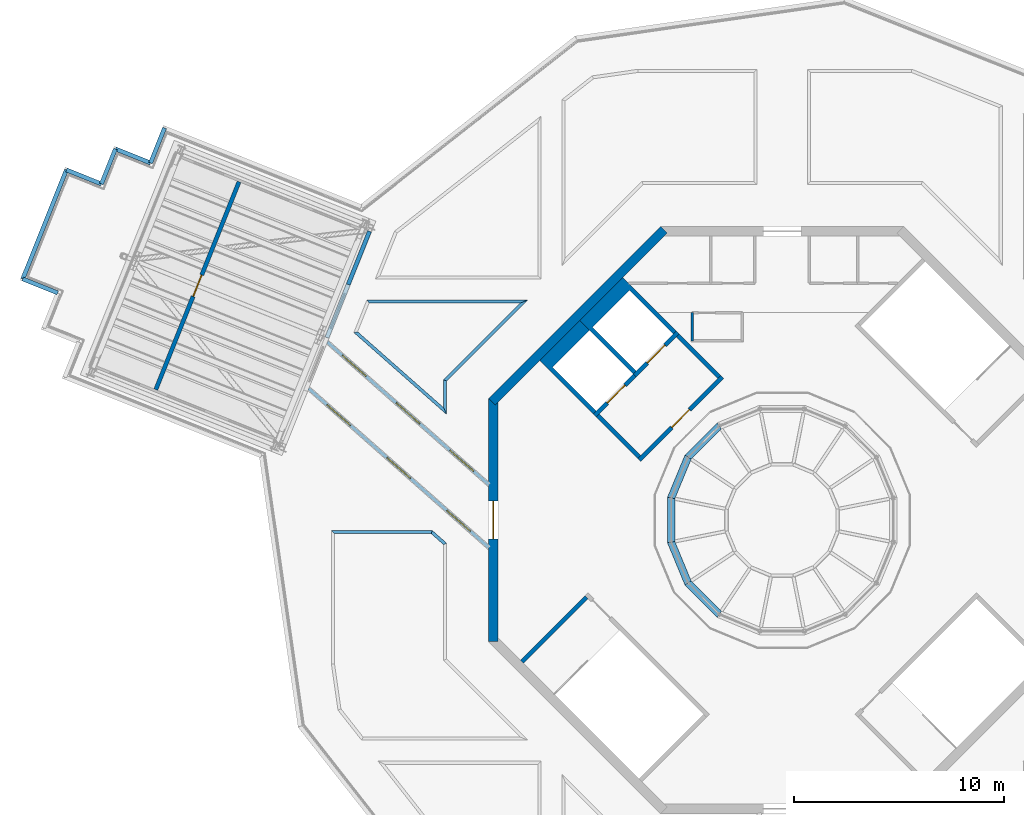
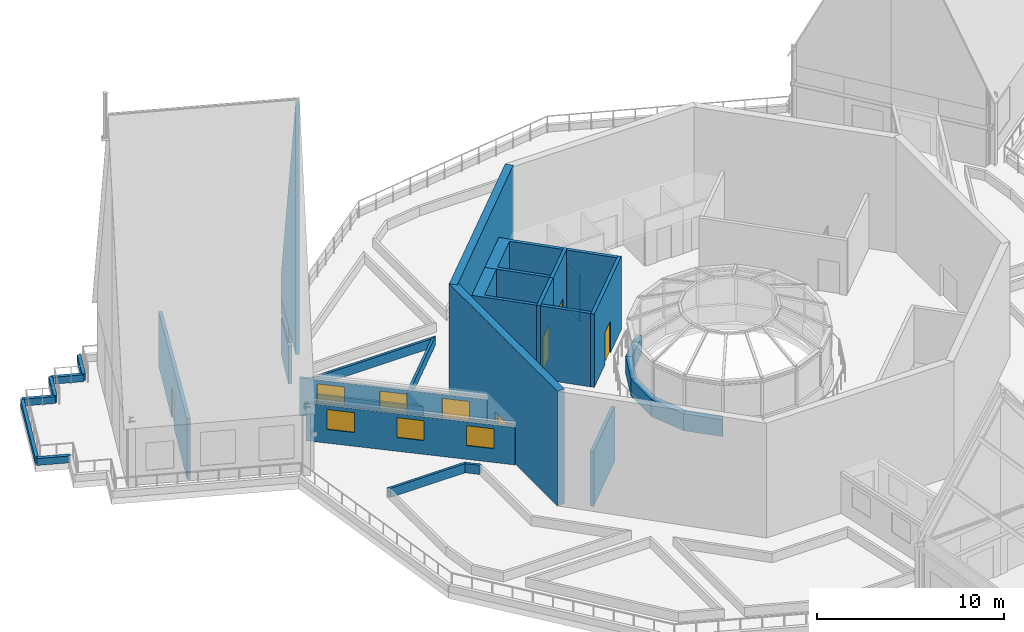
# One storey, part 14 of 32: 34 walls, 6 windows, 5 doors, 11 openings.
"""IFC4 building model written with IfcOpenShell, lengths in metres."""

import ifcopenshell
import ifcopenshell.guid

model = None  # the IFC model being written
_history = None  # IfcOwnerHistory: only IFC2X3 demands one
_inside = {}  # id of a spatial element -> (the spatial element, [elements in it])
_under = {}  # id of a project, library or spatial element -> (it, [spatial elements below it])
_declared = {}  # id of a project -> (the project, [libraries it declares])
_typed = {}  # id of a type object -> (the type object, [elements of that type])
_made_of = {}  # id of a material, layer set ... -> (it, [elements and type objects made of it])


def new_model(schema):
    """Start an empty IFC model of exactly this schema.

    Asked for "IFC4X3", IfcOpenShell would pick the latest addendum, in which some entities
    have other attributes; the version numbers below select the first issue.
    IFC2X3 requires an IfcOwnerHistory on every rooted entity: one is made here for all.
    """
    global model, _history
    if schema == "IFC4X3":
        model = ifcopenshell.file(schema_version=(4, 3, 0, 0))
    else:
        model = ifcopenshell.file(schema=schema)
    _inside.clear()
    _under.clear()
    _declared.clear()
    _typed.clear()
    _made_of.clear()
    _history = None
    if model.schema == "IFC2X3":
        org = make("IfcOrganization", Name="unknown")
        user = make(
            "IfcPersonAndOrganization",
            ThePerson=make("IfcPerson", FamilyName="unknown"),
            TheOrganization=org,
        )
        app = make(
            "IfcApplication",
            ApplicationDeveloper=org,
            Version="unknown",
            ApplicationFullName="unknown",
            ApplicationIdentifier="unknown",
        )
        _history = make(
            "IfcOwnerHistory",
            OwningUser=user,
            OwningApplication=app,
            ChangeAction="ADDED",
            CreationDate=0,
        )
    return model


def make(cls, **values):
    """One entity of the class cls with the attributes given. An attribute that is None is left unset."""
    return model.create_entity(
        cls, **{name: value for name, value in values.items() if value is not None}
    )


def rooted(cls, **values):
    """An entity with a GlobalId (a new one), such as an element, a storey or a relation."""
    return make(cls, GlobalId=ifcopenshell.guid.new(), OwnerHistory=_history, **values)


def si_unit(unit_type, name, prefix=None):
    """IfcSIUnit, for example si_unit("LENGTHUNIT", "METRE", prefix="MILLI")."""
    return make("IfcSIUnit", UnitType=unit_type, Prefix=prefix, Name=name)


def assignment(units):
    """IfcUnitAssignment: the units of a project."""
    return None if units is None else make("IfcUnitAssignment", Units=units)


def point(xyz):
    """IfcCartesianPoint."""
    return None if xyz is None else make("IfcCartesianPoint", Coordinates=xyz)


def direction(xyz):
    """IfcDirection."""
    return None if xyz is None else make("IfcDirection", DirectionRatios=xyz)


def frame(location, z_axis=None, x_axis=None):
    """IfcAxis2Placement3D, a coordinate frame: its origin and axes. An axis left out is left unset."""
    return make(
        "IfcAxis2Placement3D",
        Location=point(location),
        Axis=direction(z_axis),
        RefDirection=direction(x_axis),
    )


def frame_2d(location, x_axis=None):
    """IfcAxis2Placement2D, a coordinate frame in the plane: its origin and x axis."""
    return make(
        "IfcAxis2Placement2D", Location=point(location), RefDirection=direction(x_axis)
    )


def origin():
    """The frame at (0, 0, 0) with its axes left unset."""
    return frame((0.0, 0.0, 0.0))


def place(relative_to, where):
    """IfcLocalPlacement: puts the frame where relative to a parent placement (None: the world)."""
    return make(
        "IfcLocalPlacement", PlacementRelTo=relative_to, RelativePlacement=where
    )


def context(
    kind, dimensions, precision=None, world=None, true_north=None, identifier=None
):
    """IfcGeometricRepresentationContext, for example the 3D "Model" context."""
    return make(
        "IfcGeometricRepresentationContext",
        ContextIdentifier=identifier,
        ContextType=kind,
        CoordinateSpaceDimension=dimensions,
        Precision=precision,
        WorldCoordinateSystem=world,
        TrueNorth=true_north,
    )


def subcontext(parent, identifier, kind, view, scale=None):
    """IfcGeometricRepresentationSubContext, for example "Body" below "Model"."""
    return make(
        "IfcGeometricRepresentationSubContext",
        ContextIdentifier=identifier,
        ContextType=kind,
        ParentContext=parent,
        TargetScale=scale,
        TargetView=view,
    )


def project(units=None, contexts=None):
    """IfcProject with its units and contexts."""
    return rooted(
        "IfcProject",
        Name="project",
        RepresentationContexts=contexts,
        UnitsInContext=assignment(units),
    )


def spatial(cls, under=None, at=None, **own):
    """A site, building, storey or space (cls), placed at a placement, below another one or the project."""
    s = rooted(cls, ObjectPlacement=at, **own)
    if under is not None:
        _under.setdefault(under.id(), (under, []))[1].append(s)
    return s


def polyline(points):
    """IfcPolyline through the points."""
    return make("IfcPolyline", Points=[point(p) for p in points])


def profile(cls, at=None, kind="AREA", **sizes):
    """A parametric profile (cls). Its sizes go by their IFC names, for example OverallWidth=200.0."""
    return make(cls, ProfileType=kind, Position=at, **sizes)


def rectangle(**sizes):
    """IfcRectangleProfileDef."""
    return profile("IfcRectangleProfileDef", **sizes)


def outline(outer, holes=None, kind="AREA"):
    """IfcArbitraryClosedProfileDef: a profile drawn as a closed curve; with holes, ...WithVoids."""
    if holes is None:
        return make("IfcArbitraryClosedProfileDef", ProfileType=kind, OuterCurve=outer)
    return make(
        "IfcArbitraryProfileDefWithVoids",
        ProfileType=kind,
        OuterCurve=outer,
        InnerCurves=holes,
    )


def extrude(swept, where, along, depth):
    """IfcExtrudedAreaSolid: the profile swept, set in the frame where, extruded along a direction by depth."""
    return make(
        "IfcExtrudedAreaSolid",
        SweptArea=swept,
        Position=where,
        ExtrudedDirection=direction(along),
        Depth=depth,
    )


def shape(context_of_items, identifier, shape_type, items):
    """IfcShapeRepresentation: the items that make up one representation, for example the "Body"."""
    return make(
        "IfcShapeRepresentation",
        ContextOfItems=context_of_items,
        RepresentationIdentifier=identifier,
        RepresentationType=shape_type,
        Items=items,
    )


def material(Name=None, Category=None):
    """IfcMaterial."""
    return make("IfcMaterial", Name=Name, Category=Category)


def layer(
    of_material, thickness, ventilated=None, Name=None, Category=None, Priority=None
):
    """IfcMaterialLayer: one layer of a wall or slab, of a material (None: an air gap)."""
    return make(
        "IfcMaterialLayer",
        Material=of_material,
        LayerThickness=thickness,
        IsVentilated=ventilated,
        Name=Name,
        Category=Category,
        Priority=Priority,
    )


def layer_set(layers, Name=None):
    """IfcMaterialLayerSet."""
    return make("IfcMaterialLayerSet", MaterialLayers=layers, LayerSetName=Name)


def made_of(thing, what):
    """Note that an element or type object is made of a material, layer set ...; save() writes the relation."""
    if what is not None:
        _made_of.setdefault(what.id(), (what, []))[1].append(thing)
    return thing


def type_object(cls, material=None, **own):
    """A type object (cls), such as IfcWallType, which elements share."""
    return made_of(rooted(cls, **own), material)


def element(
    cls,
    number,
    at=None,
    inside=None,
    cuts=None,
    type_object=None,
    material=None,
    context=None,
    identifier="Body",
    shape_type=None,
    held_by="IfcProductDefinitionShape",
    body=None,
    shapes=None,
    **own,
):
    """One element of the class cls, such as IfcWall. Its Tag is "e" and its number.

    at: its placement. inside: the storey or other place that contains it. cuts: it is an
    opening in that element (IfcRelVoidsElement). A single representation is given by context,
    identifier, shape_type and body (its items); several are given by shapes. held_by: the class
    of the entity that holds the representations. save() writes the other relations.
    """
    e = rooted(cls, Tag="e%d" % number, ObjectPlacement=at, **own)
    if body is not None:
        shapes = [shape(context, identifier, shape_type, body)]
    if shapes is not None:
        e.Representation = make(held_by, Representations=shapes)
    if inside is not None:
        _inside.setdefault(inside.id(), (inside, []))[1].append(e)
    if cuts is not None:
        rooted(
            "IfcRelVoidsElement", RelatingBuildingElement=cuts, RelatedOpeningElement=e
        )
    if type_object is not None:
        _typed.setdefault(type_object.id(), (type_object, []))[1].append(e)
    return made_of(e, material)


def fill(opening, filler):
    """IfcRelFillsElement: the door or window that sits in an opening."""
    return rooted(
        "IfcRelFillsElement",
        RelatingOpeningElement=opening,
        RelatedBuildingElement=filler,
    )


def aggregate(whole, parts):
    """IfcRelAggregates: a whole, such as a stair, and the parts it consists of."""
    return rooted("IfcRelAggregates", RelatingObject=whole, RelatedObjects=parts)


def save(model, path):
    """Write the relations noted so far, then the file.

    IfcRelAggregates (storeys below a building ...), IfcRelContainedInSpatialStructure (elements
    in a storey), IfcRelDefinesByType, IfcRelAssociatesMaterial and IfcRelDeclares: one each for
    every whole, place, type object, material and project.
    """
    for whole, parts in _under.values():
        aggregate(whole, parts)
    for where, things in _inside.values():
        rooted(
            "IfcRelContainedInSpatialStructure",
            RelatedElements=things,
            RelatingStructure=where,
        )
    for kind, things in _typed.values():
        rooted("IfcRelDefinesByType", RelatedObjects=things, RelatingType=kind)
    for what, things in _made_of.values():
        rooted("IfcRelAssociatesMaterial", RelatedObjects=things, RelatingMaterial=what)
    for by, libraries in _declared.values():
        rooted("IfcRelDeclares", RelatingContext=by, RelatedDefinitions=libraries)
    model.write(path)


model = new_model("IFC4")

# Units and contexts
model_context = context("Model", 3, precision=1e-05, world=origin(), true_north=direction((0.0, 1.0)))
body_context = subcontext(model_context, "Body", "Model", "MODEL_VIEW")
ifc_project = project(units=[si_unit("LENGTHUNIT", "METRE"), si_unit("AREAUNIT", "SQUARE_METRE"), si_unit("VOLUMEUNIT", "CUBIC_METRE"), si_unit("PLANEANGLEUNIT", "RADIAN"), si_unit("MASSUNIT", "GRAM", prefix="KILO")], contexts=[model_context])

# Site, building, storey
site_placement = place(None, origin())
site = spatial("IfcSite", under=ifc_project, at=site_placement, CompositionType="ELEMENT")
building_placement = place(site_placement, origin())
building = spatial("IfcBuilding", under=site, at=building_placement, Name="Verdalira Terraces Hotel", CompositionType="ELEMENT")
storey_placement = place(building_placement, frame((0.0, 0.0, 315.0)))
storey = spatial("IfcBuildingStorey", under=building, at=storey_placement, Name="L78", CompositionType="ELEMENT", Elevation=315.0)

# Walls
ifc_material_1 = material(Name="Concrete C40", Category="concrete")
ifc_layer_1 = layer(ifc_material_1, 0.199951171875)
ifc_layer_set_1 = layer_set([ifc_layer_1], Name="Bronze clad gable end wall 200 mm")
wall_type_1 = type_object("IfcWallType", Name="Bronze clad gable end wall 200 mm", PredefinedType="SOLIDWALL", material=ifc_layer_set_1)
wall_1_placement = place(storey_placement, frame((-19.680908, 13.77002, 0.0), z_axis=(0.0, 0.0, 1.0), x_axis=(-0.372007317, -0.928229797, 0.0)))
element("IfcWall", 1, at=wall_1_placement, inside=storey, type_object=wall_type_1, Name="Bronze clad gable end wall G1S1", PredefinedType="SOLIDWALL", context=body_context, shape_type="SweptSolid", body=[
    extrude(rectangle(XDim=2.730225, YDim=0.199951, at=frame_2d((1.365234, 0.0))), origin(), (0.0, 0.0, 1.0), 2.456055),
])
wall_2_placement = place(storey_placement, frame((-19.680908, 13.77002, 2.709961), z_axis=(0.0, 0.0, 1.0), x_axis=(-0.372007317, -0.928229797, 0.0)))
element("IfcWall", 2, at=wall_2_placement, inside=storey, type_object=wall_type_1, Name="Bronze clad gable end wall G1S1 middle course", PredefinedType="SOLIDWALL", context=body_context, shape_type="SweptSolid", body=[
    extrude(rectangle(XDim=2.730225, YDim=0.199951, at=frame_2d((1.365234, 0.0))), origin(), (0.0, 0.0, 1.0), 1.090088),
])
ifc_material_2 = material(Name="Concrete C40", Category="concrete")
ifc_layer_2 = layer(ifc_material_2, 0.199951171875)
ifc_layer_set_2 = layer_set([ifc_layer_2], Name="Bronze clad gable end wall G1 upper course 200 mm")
wall_type_2 = type_object("IfcWallType", Name="Bronze clad gable end wall G1 upper course 200 mm", PredefinedType="SOLIDWALL", material=ifc_layer_set_2)
wall_3_placement = place(storey_placement, frame((-19.680908, 13.77002, 3.800049), z_axis=(0.0, 0.0, 1.0), x_axis=(-0.372022758, -0.928223609, 0.0)))
element("IfcWall", 3, at=wall_3_placement, inside=storey, type_object=wall_type_2, Name="Bronze clad gable end wall G1S upper 1", PredefinedType="SOLIDWALL", context=body_context, shape_type="SweptSolid", body=[
    extrude(outline(polyline([(0.0, 0.0), (5.459961, 0.0), (5.459961, 16.583984), (0.0, 1.602539), (0.0, 0.0)])), frame((0.0, 0.100098, 0.0), z_axis=(0.0, -1.0, 0.0), x_axis=(1.0, 0.0, 0.0)), (0.0, 0.0, 1.0), 0.199951),
])
ifc_material_3 = material(Name="Concrete C50", Category="concrete")
ifc_layer_3 = layer(ifc_material_3, 0.199951171875)
ifc_layer_set_3 = layer_set([ifc_layer_3], Name="Core RC wall 200 C50")
wall_type_3 = type_object("IfcWallType", Name="Core RC wall 200 C50", PredefinedType="SOLIDWALL", material=ifc_layer_set_3)
wall_4_placement = place(storey_placement, origin())
element("IfcWall", 4, at=wall_4_placement, inside=storey, type_object=wall_type_3, Name="L78 shaft wall F1", PredefinedType="SOLIDWALL", context=body_context, shape_type="SweptSolid", body=[
    extrude(outline(polyline([(-9.6521, 9.510498), (-7.601318, 11.561279), (-5.055908, 9.015625), (-5.197266, 8.874268), (-7.283203, 10.960205), (-9.051025, 9.192383), (-6.965088, 7.106445), (-7.106445, 6.965088), (-9.6521, 9.510498)])), origin(), (0.0, 0.0, 1.0), 4.800049),
])

# Wall, opening, door
wall_5_placement = place(storey_placement, frame((-4.985107, 8.944824, 0.0), z_axis=(0.0, 0.0, 1.0), x_axis=(-0.707106781, -0.707106781, 0.0)))
wall_5 = element("IfcWall", 5, at=wall_5_placement, inside=storey, type_object=wall_type_3, Name="L78 shaft front wall F1", PredefinedType="SOLIDWALL", context=body_context, shape_type="SweptSolid", body=[
    extrude(rectangle(XDim=2.899902, YDim=0.199951, at=frame_2d((1.449951, 0.0))), origin(), (0.0, 0.0, 1.0), 4.800049),
])
opening_1_placement = place(wall_5_placement, frame((0.850098, 0.0, 0.0)))
opening_1 = element("IfcOpeningElement", 6, at=opening_1_placement, cuts=wall_5, Name="Opening LD-L78-801", PredefinedType="OPENING", context=body_context, shape_type="SweptSolid", body=[
    extrude(rectangle(XDim=1.199951, YDim=2.100098, at=frame_2d((0.600098, 1.050049))), frame((0.0, 0.109863, 0.0), z_axis=(0.0, -1.0, 0.0), x_axis=(1.0, 0.0, 0.0)), (0.0, 0.0, 1.0), 0.219971),
])
ifc_material_4 = material(Name="Stainless steel", Category="steel")
door_type_1 = type_object("IfcDoorType", Name="Landing door 1200 x 2100", OperationType="NOTDEFINED", PredefinedType="DOOR", material=ifc_material_4)
door_1_placement = place(opening_1_placement, origin())
door_1 = element("IfcDoor", 7, at=door_1_placement, inside=storey, type_object=door_type_1, Name="Lift landing door LF11 L78", OperationType="DOUBLE_DOOR_SLIDING", OverallHeight=2.10009765625, OverallWidth=1.199951171875, PredefinedType="DOOR", context=body_context, shape_type="SweptSolid", body=[
    extrude(rectangle(XDim=1.199951, YDim=2.100098, at=frame_2d((0.600098, 1.050049))), frame((0.0, 0.024902, 0.0), z_axis=(0.0, -1.0, 0.0), x_axis=(1.0, 0.0, 0.0)), (0.0, 0.0, 1.0), 0.050049),
])
fill(opening_1, door_1)

# Wall
wall_6_placement = place(storey_placement, origin())
element("IfcWall", 8, at=wall_6_placement, inside=storey, type_object=wall_type_3, Name="L78 shaft wall F2", PredefinedType="SOLIDWALL", context=body_context, shape_type="SweptSolid", body=[
    extrude(outline(polyline([(-11.561279, 7.601318), (-9.6521, 9.510498), (-9.192383, 9.051025), (-10.960205, 7.283203), (-8.874268, 5.197266), (-9.015625, 5.055908), (-11.561279, 7.601318)])), origin(), (0.0, 0.0, 1.0), 4.800049),
])

# Wall, opening, door
wall_7_placement = place(storey_placement, frame((-7.035645, 6.894287, 0.0), z_axis=(0.0, 0.0, 1.0), x_axis=(-0.707106781, -0.707106781, 0.0)))
wall_7 = element("IfcWall", 9, at=wall_7_placement, inside=storey, type_object=wall_type_3, Name="L78 shaft front wall F2", PredefinedType="SOLIDWALL", context=body_context, shape_type="SweptSolid", body=[
    extrude(rectangle(XDim=2.699951, YDim=0.199951, at=frame_2d((1.350098, 0.0))), origin(), (0.0, 0.0, 1.0), 4.800049),
])
opening_2_placement = place(wall_7_placement, frame((0.649902, 0.0, 0.0)))
opening_2 = element("IfcOpeningElement", 10, at=opening_2_placement, cuts=wall_7, Name="Opening LD-L78-802", PredefinedType="OPENING", context=body_context, shape_type="SweptSolid", body=[
    extrude(rectangle(XDim=1.199951, YDim=2.100098, at=frame_2d((0.600098, 1.050049))), frame((0.0, 0.109863, 0.0), z_axis=(0.0, -1.0, 0.0), x_axis=(1.0, 0.0, 0.0)), (0.0, 0.0, 1.0), 0.219971),
])
door_2_placement = place(opening_2_placement, origin())
door_2 = element("IfcDoor", 11, at=door_2_placement, inside=storey, type_object=door_type_1, Name="Lift landing door LF12 L78", OperationType="DOUBLE_DOOR_SLIDING", OverallHeight=2.10009765625, OverallWidth=1.199951171875, PredefinedType="DOOR", context=body_context, shape_type="SweptSolid", body=[
    extrude(rectangle(XDim=1.199951, YDim=2.100098, at=frame_2d((0.600098, 1.050049))), frame((0.0, 0.024902, 0.0), z_axis=(0.0, -1.0, 0.0), x_axis=(1.0, 0.0, 0.0)), (0.0, 0.0, 1.0), 0.050049),
])
fill(opening_2, door_2)

wall_8_placement = place(storey_placement, frame((-2.86377, 6.823486, 0.0), z_axis=(0.0, 0.0, 1.0), x_axis=(-0.707106781, -0.707106781, 0.0)))
wall_8 = element("IfcWall", 12, at=wall_8_placement, inside=storey, type_object=wall_type_3, Name="L78 fire lobby wall", PredefinedType="SOLIDWALL", context=body_context, shape_type="SweptSolid", body=[
    extrude(rectangle(XDim=5.599854, YDim=0.199951, at=frame_2d((2.799805, 0.0))), origin(), (0.0, 0.0, 1.0), 4.800049),
])
opening_3_placement = place(wall_8_placement, frame((2.199951, 0.0, 0.0)))
opening_3 = element("IfcOpeningElement", 13, at=opening_3_placement, cuts=wall_8, Name="Opening L78-806", PredefinedType="OPENING", context=body_context, shape_type="SweptSolid", body=[
    extrude(rectangle(XDim=1.199951, YDim=2.100098, at=frame_2d((0.600098, 1.050049))), frame((0.0, 0.109863, 0.0), z_axis=(0.0, -1.0, 0.0), x_axis=(1.0, 0.0, 0.0)), (0.0, 0.0, 1.0), 0.219971),
])
ifc_material_5 = material(Name="Steel fire door", Category="steel")
door_type_2 = type_object("IfcDoorType", Name="Lobby door 1200 x 2100", OperationType="NOTDEFINED", PredefinedType="DOOR", material=ifc_material_5)
door_3_placement = place(opening_3_placement, origin())
door_3 = element("IfcDoor", 14, at=door_3_placement, inside=storey, type_object=door_type_2, Name="Fire lobby door L78", OperationType="SINGLE_SWING_LEFT", OverallHeight=2.10009765625, OverallWidth=1.199951171875, PredefinedType="DOOR", context=body_context, shape_type="SweptSolid", body=[
    extrude(rectangle(XDim=1.199951, YDim=2.100098, at=frame_2d((0.600098, 1.050049))), frame((0.0, 0.024902, 0.0), z_axis=(0.0, -1.0, 0.0), x_axis=(1.0, 0.0, 0.0)), (0.0, 0.0, 1.0), 0.050049),
])
fill(opening_3, door_3)

# Walls
for number, where, z_axis, x_axis, name in (
    (15, (-3.005127, 6.823486, 0.0), (0.0, 0.0, 1.0), (-0.707106781, 0.707106781, 0.0), "L78 fire lobby wall"),
    (16, (-6.823486, 3.005127, 0.0), (0.0, 0.0, 1.0), (-0.707106781, 0.707106781, 0.0), "L78 fire lobby wall"),
):
    element("IfcWall", number, at=place(storey_placement, frame(where, z_axis=z_axis, x_axis=x_axis)), inside=storey, type_object=wall_type_3, Name=name, PredefinedType="SOLIDWALL", context=body_context, shape_type="SweptSolid", body=[
        extrude(rectangle(XDim=2.800049, YDim=0.199951, at=frame_2d((1.399902, 0.0))), origin(), (0.0, 0.0, 1.0), 4.800049),
    ])
ifc_material_6 = material(Name="Concrete C50", Category="concrete")
ifc_layer_4 = layer(ifc_material_6, 0.449951171875)
ifc_layer_set_4 = layer_set([ifc_layer_4], Name="Core wall 450 C50")
wall_type_4 = type_object("IfcWallType", Name="Core wall 450 C50", PredefinedType="SHEAR", material=ifc_layer_set_4)
wall_9_placement = place(storey_placement, frame((-5.639893, 13.84082, 0.0), z_axis=(0.0, 0.0, 1.0), x_axis=(-0.707106781, -0.707106781, 0.0)))
element("IfcWall", 17, at=wall_9_placement, inside=storey, type_object=wall_type_4, Name="Core wall CW-L78-4", PredefinedType="SHEAR", context=body_context, shape_type="SweptSolid", body=[
    extrude(rectangle(XDim=11.5979, YDim=0.449951, at=frame_2d((5.798828, 0.0))), origin(), (0.0, 0.0, 1.0), 7.5),
])

# Wall, opening, door
wall_10_placement = place(storey_placement, frame((-13.774902, 5.799072, 0.0), z_axis=(0.0, 0.0, 1.0), x_axis=(0.0, -1.0, 0.0)))
wall_10 = element("IfcWall", 18, at=wall_10_placement, inside=storey, type_object=wall_type_4, Name="Core wall CW-L78-5", PredefinedType="SHEAR", context=body_context, shape_type="SweptSolid", body=[
    extrude(rectangle(XDim=11.598145, YDim=0.449951, at=frame_2d((5.799072, 0.0))), origin(), (0.0, 0.0, 1.0), 7.5),
])
opening_4_placement = place(wall_10_placement, frame((4.898926, 0.0, 0.0)))
opening_4 = element("IfcOpeningElement", 19, at=opening_4_placement, cuts=wall_10, Name="Opening L78-D03", PredefinedType="OPENING", context=body_context, shape_type="SweptSolid", body=[
    extrude(rectangle(XDim=1.800049, YDim=2.100098, at=frame_2d((0.899902, 1.050049))), frame((0.0, 0.234863, 0.0), z_axis=(0.0, -1.0, 0.0), x_axis=(1.0, 0.0, 0.0)), (0.0, 0.0, 1.0), 0.469971),
])
ifc_material_7 = material(Name="Steel fire door", Category="steel")
door_type_3 = type_object("IfcDoorType", Name="Garden door pair 1800 x 2100", OperationType="DOUBLE_DOOR_SINGLE_SWING", PredefinedType="DOOR", material=ifc_material_7)
door_4_placement = place(opening_4_placement, origin())
door_4 = element("IfcDoor", 20, at=door_4_placement, inside=storey, type_object=door_type_3, Name="Roof garden door", OperationType="DOUBLE_DOOR_SINGLE_SWING", OverallHeight=2.10009765625, OverallWidth=1.800048828125, PredefinedType="DOOR", context=body_context, shape_type="SweptSolid", body=[
    extrude(rectangle(XDim=1.800049, YDim=2.100098, at=frame_2d((0.899902, 1.050049))), frame((0.0, 0.024902, 0.0), z_axis=(0.0, -1.0, 0.0), x_axis=(1.0, 0.0, 0.0)), (0.0, 0.0, 1.0), 0.050049),
])
fill(opening_4, door_4)

ifc_material_8 = material(Name="Concrete C40", Category="concrete")
ifc_layer_5 = layer(ifc_material_8, 0.199951171875)
ifc_layer_set_5 = layer_set([ifc_layer_5], Name="Crown plant room wall 200 mm")
wall_type_5 = type_object("IfcWallType", Name="Crown plant room wall 200 mm", PredefinedType="SOLIDWALL", material=ifc_layer_set_5)
wall_11_placement = place(storey_placement, frame((-25.90332, 16.134521, 0.0), z_axis=(0.0, 0.0, 1.0), x_axis=(-0.372013313, -0.928227394, 0.0)))
wall_11 = element("IfcWall", 21, at=wall_11_placement, inside=storey, type_object=wall_type_5, Name="Plant room front wall", PredefinedType="SOLIDWALL", context=body_context, shape_type="SweptSolid", body=[
    extrude(outline(polyline([(0.0, 0.0), (10.680176, 0.0), (10.679932, 3.981445), (0.0, 3.600098), (0.0, 0.0)])), frame((0.0, 0.100098, 0.0), z_axis=(0.0, -1.0, 0.0), x_axis=(1.0, 0.0, 0.0)), (0.0, 0.0, 1.0), 0.199951),
])
opening_5_placement = place(wall_11_placement, frame((4.790039, 0.0, 0.0)))
opening_5 = element("IfcOpeningElement", 22, at=opening_5_placement, cuts=wall_11, Name="Opening L78-D05", PredefinedType="OPENING", context=body_context, shape_type="SweptSolid", body=[
    extrude(rectangle(XDim=1.100098, YDim=2.100098, at=frame_2d((0.550049, 1.050049))), frame((0.0, 0.109863, 0.0), z_axis=(0.0, -1.0, 0.0), x_axis=(1.0, 0.0, 0.0)), (0.0, 0.0, 1.0), 0.219971),
])
ifc_material_9 = material(Name="Steel fire door", Category="steel")
door_type_4 = type_object("IfcDoorType", Name="Plant room door 1100 x 2100", OperationType="SINGLE_SWING_LEFT", PredefinedType="DOOR", material=ifc_material_9)
door_5_placement = place(opening_5_placement, origin())
door_5 = element("IfcDoor", 23, at=door_5_placement, inside=storey, type_object=door_type_4, Name="Plant room door", OperationType="SINGLE_SWING_RIGHT", OverallHeight=2.10009765625, OverallWidth=1.10009765625, PredefinedType="DOOR", context=body_context, shape_type="SweptSolid", body=[
    extrude(rectangle(XDim=1.100098, YDim=2.100098, at=frame_2d((0.550049, 1.050049))), frame((0.0, 0.024902, 0.0), z_axis=(0.0, -1.0, 0.0), x_axis=(1.0, 0.0, 0.0)), (0.0, 0.0, 1.0), 0.050049),
])
fill(opening_5, door_5)

# Walls
ifc_material_10 = material(Name="Concrete C40", Category="concrete")
ifc_layer_6 = layer(ifc_material_10, 0.14990234375)
ifc_layer_set_6 = layer_set([ifc_layer_6], Name="Crown planter trough 150 x 600")
wall_type_6 = type_object("IfcWallType", Name="Crown planter trough 150 x 600", PredefinedType="SOLIDWALL", material=ifc_layer_set_6)
wall_12_placement = place(storey_placement, origin())
element("IfcWall", 24, at=wall_12_placement, inside=storey, type_object=wall_type_6, Name="Crown garden planter", PredefinedType="SOLIDWALL", context=body_context, shape_type="SweptSolid", body=[
    extrude(outline(polyline([(-16.0, 6.627441), (-12.127441, 10.5), (-12.489502, 10.350098), (-16.149902, 6.689453), (-16.0, 6.627441)])), origin(), (0.0, 0.0, 1.0), 0.600098),
])
wall_13_placement = place(storey_placement, origin())
element("IfcWall", 25, at=wall_13_placement, inside=storey, type_object=wall_type_6, Name="Crown garden planter", PredefinedType="SOLIDWALL", context=body_context, shape_type="SweptSolid", body=[
    extrude(outline(polyline([(-12.127441, 10.5), (-19.804443, 10.5), (-19.702881, 10.350098), (-12.489502, 10.350098), (-12.127441, 10.5)])), origin(), (0.0, 0.0, 1.0), 0.600098),
])
wall_14_placement = place(storey_placement, origin())
element("IfcWall", 26, at=wall_14_placement, inside=storey, type_object=wall_type_6, Name="Crown garden planter", PredefinedType="SOLIDWALL", context=body_context, shape_type="SweptSolid", body=[
    extrude(outline(polyline([(-20.429443, 8.940918), (-16.0, 5.031494), (-16.149902, 5.364014), (-20.250732, 8.983398), (-20.429443, 8.940918)])), origin(), (0.0, 0.0, 1.0), 0.600098),
])
wall_15_placement = place(storey_placement, origin())
element("IfcWall", 27, at=wall_15_placement, inside=storey, type_object=wall_type_6, Name="Crown garden planter", PredefinedType="SOLIDWALL", context=body_context, shape_type="SweptSolid", body=[
    extrude(outline(polyline([(-16.0, 5.031494), (-16.0, 6.627441), (-16.149902, 6.689453), (-16.149902, 5.364014), (-16.0, 5.031494)])), origin(), (0.0, 0.0, 1.0), 0.600098),
])
wall_16_placement = place(storey_placement, origin())
element("IfcWall", 28, at=wall_16_placement, inside=storey, type_object=wall_type_6, Name="Crown garden planter", PredefinedType="SOLIDWALL", context=body_context, shape_type="SweptSolid", body=[
    extrude(outline(polyline([(-16.0, -1.104004), (-16.684082, -0.5), (-16.740967, -0.649902), (-16.149902, -1.171631), (-16.0, -1.104004)])), origin(), (0.0, 0.0, 1.0), 0.600098),
])
wall_17_placement = place(storey_placement, origin())
element("IfcWall", 29, at=wall_17_placement, inside=storey, type_object=wall_type_6, Name="Crown garden planter", PredefinedType="SOLIDWALL", context=body_context, shape_type="SweptSolid", body=[
    extrude(outline(polyline([(-16.684082, -0.5), (-21.5, -0.5), (-21.350098, -0.649902), (-16.740967, -0.649902), (-16.684082, -0.5)])), origin(), (0.0, 0.0, 1.0), 0.600098),
])
ifc_material_11 = material(Name="Masonry partition, plastered", Category="masonry")
ifc_layer_7 = layer(ifc_material_11, 0.1201171875)
ifc_layer_set_7 = layer_set([ifc_layer_7], Name="Crown riser and store wall 120 mm")
wall_type_7 = type_object("IfcWallType", Name="Crown riser and store wall 120 mm", PredefinedType="PARTITIONING", material=ifc_layer_set_7)
wall_18_placement = place(storey_placement, frame((-4.300049, 9.889893, 0.0), z_axis=(0.0, 0.0, 1.0), x_axis=(0.0, -1.0, 0.0)))
element("IfcWall", 30, at=wall_18_placement, inside=storey, type_object=wall_type_7, Name="Crown service block wall", PredefinedType="PARTITIONING", context=body_context, shape_type="SweptSolid", body=[
    extrude(rectangle(XDim=1.339844, YDim=0.120117, at=frame_2d((0.669922, 0.0))), origin(), (0.0, 0.0, 1.0), 3.0),
])
ifc_material_12 = material(Name="Concrete C40", Category="concrete")
ifc_layer_8 = layer(ifc_material_12, 0.199951171875)
ifc_layer_set_8 = layer_set([ifc_layer_8], Name="Crown upstand 200 x 450")
wall_type_8 = type_object("IfcWallType", Name="Crown upstand 200 x 450", PredefinedType="SOLIDWALL", material=ifc_layer_set_8)
for number, where, z_axis, x_axis, name in (
    (31, (-29.457275, 18.700684, 0.0), (0.0, 0.0, 1.0), (-0.372068792, -0.928205157, 0.0), "Crown upstand"),
    (32, (-30.126953, 17.030029, 0.0), (0.0, 0.0, 1.0), (-0.928205157, 0.372068792, 0.0), "Crown upstand"),
):
    element("IfcWall", number, at=place(storey_placement, frame(where, z_axis=z_axis, x_axis=x_axis)), inside=storey, type_object=wall_type_8, Name=name, PredefinedType="SOLIDWALL", context=body_context, shape_type="SweptSolid", body=[
        extrude(rectangle(XDim=1.799805, YDim=0.199951, at=frame_2d((0.899902, 0.0))), origin(), (0.0, 0.0, 1.0), 0.449951),
    ])
for number, where, z_axis, x_axis, name in (
    (33, (-31.797607, 17.699707, 0.0), (0.0, 0.0, 1.0), (-0.372021953, -0.928223931, 0.0), "Crown upstand"),
    (34, (-32.467285, 16.028809, 0.0), (0.0, 0.0, 1.0), (-0.928223931, 0.372021953, 0.0), "Crown upstand"),
):
    element("IfcWall", number, at=place(storey_placement, frame(where, z_axis=z_axis, x_axis=x_axis)), inside=storey, type_object=wall_type_8, Name=name, PredefinedType="SOLIDWALL", context=body_context, shape_type="SweptSolid", body=[
        extrude(rectangle(XDim=1.800049, YDim=0.199951, at=frame_2d((0.899902, 0.0))), origin(), (0.0, 0.0, 1.0), 0.449951),
    ])
wall_19_placement = place(storey_placement, frame((-34.138184, 16.698486, 0.0), z_axis=(0.0, 0.0, 1.0), x_axis=(-0.372014483, -0.928226925, 0.0)))
element("IfcWall", 35, at=wall_19_placement, inside=storey, type_object=wall_type_8, Name="Crown upstand", PredefinedType="SOLIDWALL", context=body_context, shape_type="SweptSolid", body=[
    extrude(rectangle(XDim=5.599854, YDim=0.199951, at=frame_2d((2.799805, 0.0))), origin(), (0.0, 0.0, 1.0), 0.449951),
])
wall_20_placement = place(storey_placement, frame((-36.221436, 11.500488, 0.0), z_axis=(0.0, 0.0, 1.0), x_axis=(0.928223931, -0.372021953, 0.0)))
element("IfcWall", 36, at=wall_20_placement, inside=storey, type_object=wall_type_8, Name="Crown upstand", PredefinedType="SOLIDWALL", context=body_context, shape_type="SweptSolid", body=[
    extrude(rectangle(XDim=1.800049, YDim=0.199951, at=frame_2d((0.899902, 0.0))), origin(), (0.0, 0.0, 1.0), 0.449951),
])

# Wall, openings, windows
ifc_material_13 = material(Name="Concrete C40", Category="concrete")
ifc_layer_9 = layer(ifc_material_13, 0.14990234375)
ifc_layer_set_9 = layer_set([ifc_layer_9], Name="Garden link wall 150 mm")
wall_type_9 = type_object("IfcWallType", Name="Garden link wall 150 mm", PredefinedType="SOLIDWALL", material=ifc_layer_set_9)
wall_21_placement = place(storey_placement, frame((-14.0, -1.302002, 0.0), z_axis=(0.0, 0.0, 1.0), x_axis=(-0.749741338, 0.661731007, 0.0)))
wall_21 = element("IfcWall", 37, at=wall_21_placement, inside=storey, type_object=wall_type_9, Name="Garden link wall", PredefinedType="SOLIDWALL", context=body_context, shape_type="SweptSolid", body=[
    extrude(rectangle(XDim=11.442627, YDim=0.149902, at=frame_2d((5.721191, 0.0))), origin(), (0.0, 0.0, 1.0), 2.459961),
])
opening_6_placement = place(wall_21_placement, frame((1.156982, 0.0, 0.899902)))
opening_6 = element("IfcOpeningElement", 38, at=opening_6_placement, cuts=wall_21, Name="Opening WGK", PredefinedType="OPENING", context=body_context, shape_type="SweptSolid", body=[
    extrude(rectangle(XDim=1.5, YDim=1.300049, at=frame_2d((0.75, 0.649902))), frame((0.0, 0.084961, 0.0), z_axis=(0.0, -1.0, 0.0), x_axis=(1.0, 0.0, 0.0)), (0.0, 0.0, 1.0), 0.169922),
])
opening_7_placement = place(wall_21_placement, frame((4.971436, 0.0, 0.899902)))
opening_7 = element("IfcOpeningElement", 39, at=opening_7_placement, cuts=wall_21, Name="Opening WGK", PredefinedType="OPENING", context=body_context, shape_type="SweptSolid", body=[
    extrude(rectangle(XDim=1.5, YDim=1.300049, at=frame_2d((0.75, 0.649902))), frame((0.0, 0.084961, 0.0), z_axis=(0.0, -1.0, 0.0), x_axis=(1.0, 0.0, 0.0)), (0.0, 0.0, 1.0), 0.169922),
])
opening_8_placement = place(wall_21_placement, frame((8.785645, 0.0, 0.899902)))
opening_8 = element("IfcOpeningElement", 40, at=opening_8_placement, cuts=wall_21, Name="Opening WGK", PredefinedType="OPENING", context=body_context, shape_type="SweptSolid", body=[
    extrude(rectangle(XDim=1.5, YDim=1.300049, at=frame_2d((0.75, 0.649902))), frame((0.0, 0.084961, 0.0), z_axis=(0.0, -1.0, 0.0), x_axis=(1.0, 0.0, 0.0)), (0.0, 0.0, 1.0), 0.169922),
])
ifc_material_14 = material(Name="Clear laminated glass", Category="glass")
window_type = type_object("IfcWindowType", Name="Garden link window 1500 x 1300", PartitioningType="SINGLE_PANEL", PredefinedType="WINDOW", material=ifc_material_14)
window_1_placement = place(opening_6_placement, origin())
window_1 = element("IfcWindow", 41, at=window_1_placement, inside=storey, type_object=window_type, Name="Garden link window", OverallHeight=1.300048828125, OverallWidth=1.5, PartitioningType="SINGLE_PANEL", PredefinedType="WINDOW", context=body_context, shape_type="SweptSolid", body=[
    extrude(rectangle(XDim=1.5, YDim=1.300049, at=frame_2d((0.75, 0.649902))), frame((0.0, 0.030029, 0.0), z_axis=(0.0, -1.0, 0.0), x_axis=(1.0, 0.0, 0.0)), (0.0, 0.0, 1.0), 0.060059),
])
fill(opening_6, window_1)
window_2_placement = place(opening_7_placement, origin())
window_2 = element("IfcWindow", 42, at=window_2_placement, inside=storey, type_object=window_type, Name="Garden link window", OverallHeight=1.300048828125, OverallWidth=1.5, PartitioningType="SINGLE_PANEL", PredefinedType="WINDOW", context=body_context, shape_type="SweptSolid", body=[
    extrude(rectangle(XDim=1.5, YDim=1.300049, at=frame_2d((0.75, 0.649902))), frame((0.0, 0.030029, 0.0), z_axis=(0.0, -1.0, 0.0), x_axis=(1.0, 0.0, 0.0)), (0.0, 0.0, 1.0), 0.060059),
])
fill(opening_7, window_2)
window_3_placement = place(opening_8_placement, origin())
window_3 = element("IfcWindow", 43, at=window_3_placement, inside=storey, type_object=window_type, Name="Garden link window", OverallHeight=1.300048828125, OverallWidth=1.5, PartitioningType="SINGLE_PANEL", PredefinedType="WINDOW", context=body_context, shape_type="SweptSolid", body=[
    extrude(rectangle(XDim=1.5, YDim=1.300049, at=frame_2d((0.75, 0.649902))), frame((0.0, 0.030029, 0.0), z_axis=(0.0, -1.0, 0.0), x_axis=(1.0, 0.0, 0.0)), (0.0, 0.0, 1.0), 0.060059),
])
fill(opening_8, window_3)

wall_22_placement = place(storey_placement, frame((-14.0, 1.699219, 0.0), z_axis=(0.0, 0.0, 1.0), x_axis=(-0.749755194, 0.661715308, 0.0)))
wall_22 = element("IfcWall", 44, at=wall_22_placement, inside=storey, type_object=wall_type_9, Name="Garden link wall", PredefinedType="SOLIDWALL", context=body_context, shape_type="SweptSolid", body=[
    extrude(rectangle(XDim=10.257568, YDim=0.149902, at=frame_2d((5.128906, 0.0))), origin(), (0.0, 0.0, 1.0), 2.459961),
])
opening_9_placement = place(wall_22_placement, frame((0.959717, 0.0, 0.899902)))
opening_9 = element("IfcOpeningElement", 45, at=opening_9_placement, cuts=wall_22, Name="Opening WGK", PredefinedType="OPENING", context=body_context, shape_type="SweptSolid", body=[
    extrude(rectangle(XDim=1.5, YDim=1.300049, at=frame_2d((0.75, 0.649902))), frame((0.0, 0.084961, 0.0), z_axis=(0.0, -1.0, 0.0), x_axis=(1.0, 0.0, 0.0)), (0.0, 0.0, 1.0), 0.169922),
])
opening_10_placement = place(wall_22_placement, frame((4.378906, 0.0, 0.899902)))
opening_10 = element("IfcOpeningElement", 46, at=opening_10_placement, cuts=wall_22, Name="Opening WGK", PredefinedType="OPENING", context=body_context, shape_type="SweptSolid", body=[
    extrude(rectangle(XDim=1.5, YDim=1.300049, at=frame_2d((0.75, 0.649902))), frame((0.0, 0.084961, 0.0), z_axis=(0.0, -1.0, 0.0), x_axis=(1.0, 0.0, 0.0)), (0.0, 0.0, 1.0), 0.169922),
])
opening_11_placement = place(wall_22_placement, frame((7.798096, 0.0, 0.899902)))
opening_11 = element("IfcOpeningElement", 47, at=opening_11_placement, cuts=wall_22, Name="Opening WGK", PredefinedType="OPENING", context=body_context, shape_type="SweptSolid", body=[
    extrude(rectangle(XDim=1.5, YDim=1.300049, at=frame_2d((0.75, 0.649902))), frame((0.0, 0.084961, 0.0), z_axis=(0.0, -1.0, 0.0), x_axis=(1.0, 0.0, 0.0)), (0.0, 0.0, 1.0), 0.169922),
])
window_4_placement = place(opening_9_placement, origin())
window_4 = element("IfcWindow", 48, at=window_4_placement, inside=storey, type_object=window_type, Name="Garden link window", OverallHeight=1.300048828125, OverallWidth=1.5, PartitioningType="SINGLE_PANEL", PredefinedType="WINDOW", context=body_context, shape_type="SweptSolid", body=[
    extrude(rectangle(XDim=1.5, YDim=1.300049, at=frame_2d((0.75, 0.649902))), frame((0.0, 0.030029, 0.0), z_axis=(0.0, -1.0, 0.0), x_axis=(1.0, 0.0, 0.0)), (0.0, 0.0, 1.0), 0.060059),
])
fill(opening_9, window_4)
window_5_placement = place(opening_10_placement, origin())
window_5 = element("IfcWindow", 49, at=window_5_placement, inside=storey, type_object=window_type, Name="Garden link window", OverallHeight=1.300048828125, OverallWidth=1.5, PartitioningType="SINGLE_PANEL", PredefinedType="WINDOW", context=body_context, shape_type="SweptSolid", body=[
    extrude(rectangle(XDim=1.5, YDim=1.300049, at=frame_2d((0.75, 0.649902))), frame((0.0, 0.030029, 0.0), z_axis=(0.0, -1.0, 0.0), x_axis=(1.0, 0.0, 0.0)), (0.0, 0.0, 1.0), 0.060059),
])
fill(opening_10, window_5)
window_6_placement = place(opening_11_placement, origin())
window_6 = element("IfcWindow", 50, at=window_6_placement, inside=storey, type_object=window_type, Name="Garden link window", OverallHeight=1.300048828125, OverallWidth=1.5, PartitioningType="SINGLE_PANEL", PredefinedType="WINDOW", context=body_context, shape_type="SweptSolid", body=[
    extrude(rectangle(XDim=1.5, YDim=1.300049, at=frame_2d((0.75, 0.649902))), frame((0.0, 0.030029, 0.0), z_axis=(0.0, -1.0, 0.0), x_axis=(1.0, 0.0, 0.0)), (0.0, 0.0, 1.0), 0.060059),
])
fill(opening_11, window_6)

# Walls
ifc_material_15 = material(Name="Concrete C40", Category="concrete")
ifc_layer_10 = layer(ifc_material_15, 0.35009765625)
ifc_layer_set_10 = layer_set([ifc_layer_10], Name="Lantern curb wall 350 mm")
wall_type_10 = type_object("IfcWallType", Name="Lantern curb wall 350 mm", PredefinedType="SOLIDWALL", material=ifc_layer_set_10)
wall_23_placement = place(storey_placement, origin())
element("IfcWall", 51, at=wall_23_placement, inside=storey, type_object=wall_type_10, Name="Atrium lantern curb", PredefinedType="SOLIDWALL", context=body_context, shape_type="SweptSolid", body=[
    extrude(outline(polyline([(-3.099121, 4.638184), (-4.638184, 3.099121), (-4.341553, 2.900879), (-2.900879, 4.341553), (-3.099121, 4.638184)])), origin(), (0.0, 0.0, 1.0), 1.120117),
])
wall_24_placement = place(storey_placement, origin())
element("IfcWall", 52, at=wall_24_placement, inside=storey, type_object=wall_type_10, Name="Atrium lantern curb", PredefinedType="SOLIDWALL", context=body_context, shape_type="SweptSolid", body=[
    extrude(outline(polyline([(-4.638184, 3.099121), (-5.471191, 1.088379), (-5.121094, 1.018799), (-4.341553, 2.900879), (-4.638184, 3.099121)])), origin(), (0.0, 0.0, 1.0), 1.120117),
])
wall_25_placement = place(storey_placement, origin())
element("IfcWall", 53, at=wall_25_placement, inside=storey, type_object=wall_type_10, Name="Atrium lantern curb", PredefinedType="SOLIDWALL", context=body_context, shape_type="SweptSolid", body=[
    extrude(outline(polyline([(-5.471191, 1.088379), (-5.471191, -1.088379), (-5.121094, -1.018799), (-5.121094, 1.018799), (-5.471191, 1.088379)])), origin(), (0.0, 0.0, 1.0), 1.120117),
])
wall_26_placement = place(storey_placement, origin())
element("IfcWall", 54, at=wall_26_placement, inside=storey, type_object=wall_type_10, Name="Atrium lantern curb", PredefinedType="SOLIDWALL", context=body_context, shape_type="SweptSolid", body=[
    extrude(outline(polyline([(-5.471191, -1.088379), (-4.638184, -3.099121), (-4.341553, -2.900879), (-5.121094, -1.018799), (-5.471191, -1.088379)])), origin(), (0.0, 0.0, 1.0), 1.120117),
])
wall_27_placement = place(storey_placement, origin())
element("IfcWall", 55, at=wall_27_placement, inside=storey, type_object=wall_type_10, Name="Atrium lantern curb", PredefinedType="SOLIDWALL", context=body_context, shape_type="SweptSolid", body=[
    extrude(outline(polyline([(-4.638184, -3.099121), (-3.099121, -4.638184), (-2.900879, -4.341553), (-4.341553, -2.900879), (-4.638184, -3.099121)])), origin(), (0.0, 0.0, 1.0), 1.120117),
])
ifc_material_16 = material(Name="Concrete C50", Category="concrete")
ifc_layer_11 = layer(ifc_material_16, 0.199951171875)
ifc_layer_set_11 = layer_set([ifc_layer_11], Name="Stair head-house wall 200 C50")
wall_type_11 = type_object("IfcWallType", Name="Stair head-house wall 200 C50", PredefinedType="SOLIDWALL", material=ifc_layer_set_11)
wall_28_placement = place(storey_placement, frame((-9.33374, -3.677002, 0.0), z_axis=(0.0, 0.0, 1.0), x_axis=(-0.707106781, -0.707106781, 0.0)))
element("IfcWall", 56, at=wall_28_placement, inside=storey, type_object=wall_type_11, Name="L78 stair ST2 end wall 1", PredefinedType="SOLIDWALL", context=body_context, shape_type="SweptSolid", body=[
    extrude(rectangle(XDim=4.350098, YDim=0.199951, at=frame_2d((2.175049, 0.0))), origin(), (0.0, 0.0, 1.0), 3.600098),
])

save(model, "model.ifc")
